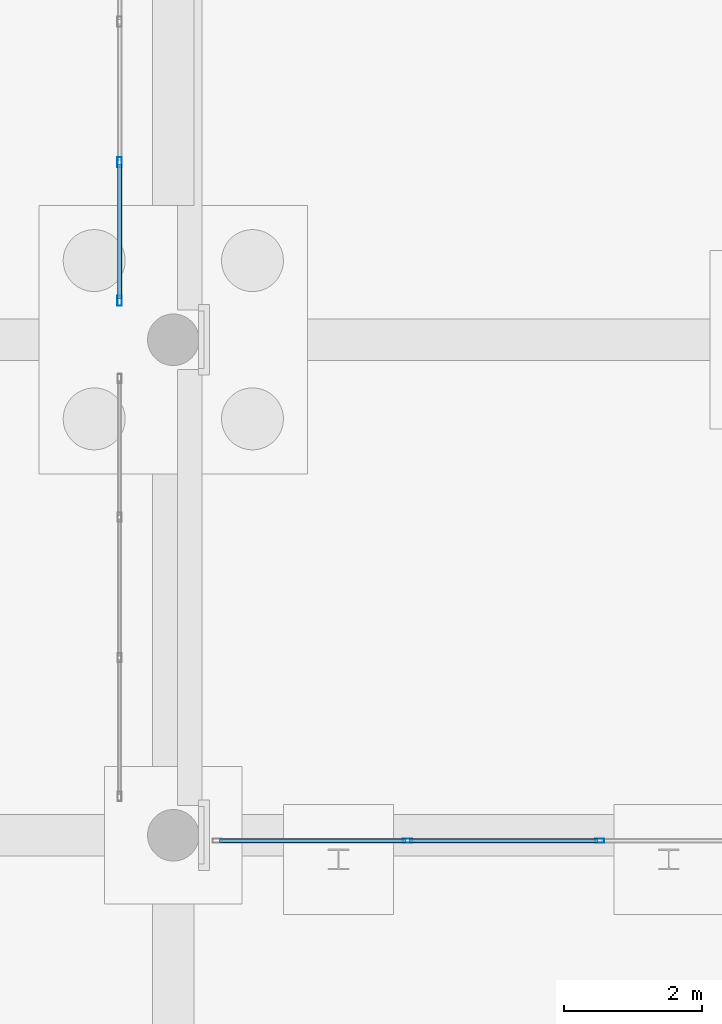
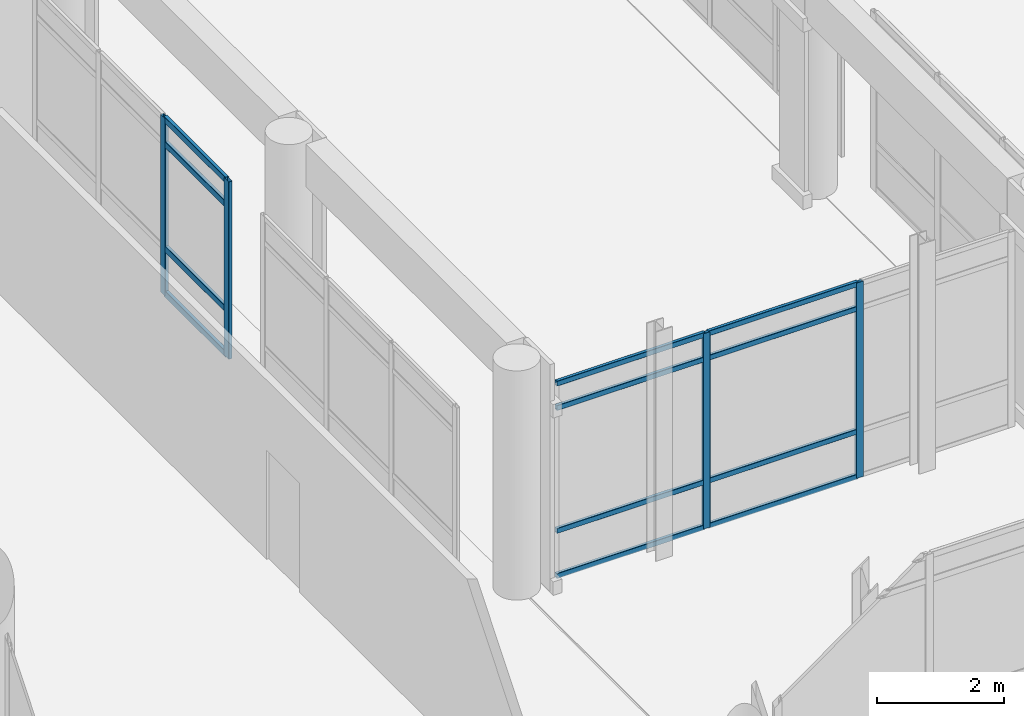
# One storey, part 109 of 196: 16 members, 2 elements without a shape of their own.
"""IFC4 building model written with IfcOpenShell, lengths in metres."""

from ifc_helpers import new_model, si_unit, direction, frame, origin, origin_2d, place, context, subcontext, project, spatial, hollow_rectangle, extrude, material, layer, layer_set, material_profile, profile_set, type_object, element, aggregate, save


model = new_model("IFC4")

# Units and contexts
model_context = context("Model", 3, precision=1e-05, world=origin(), true_north=direction((0.0, 1.0)))
body_context = subcontext(model_context, "Body", "Model", "MODEL_VIEW")
ifc_project = project(units=[si_unit("LENGTHUNIT", "METRE"), si_unit("AREAUNIT", "SQUARE_METRE"), si_unit("VOLUMEUNIT", "CUBIC_METRE"), si_unit("PLANEANGLEUNIT", "RADIAN"), si_unit("MASSUNIT", "GRAM", prefix="KILO")], contexts=[model_context])

# Site, building, storey
site_placement = place(None, origin())
site = spatial("IfcSite", under=ifc_project, at=site_placement, CompositionType="ELEMENT")
building_placement = place(site_placement, origin())
building = spatial("IfcBuilding", under=site, at=building_placement, Name="Asteropetra Specialist Clinic", CompositionType="ELEMENT")
storey_placement = place(building_placement, origin())
storey = spatial("IfcBuildingStorey", under=building, at=storey_placement, Name="L00", CompositionType="ELEMENT", Elevation=0.0)

# Curtain wall, members
ifc_material_1 = material(Name="Aluminium and low-E glass", Category="aluminium")
ifc_layer_1 = layer(ifc_material_1, 0.14990234375)
ifc_layer_set_1 = layer_set([ifc_layer_1], Name="Aluminium and low-E glass")
curtain_wall_type_1 = type_object("IfcCurtainWallType", Name="CW-SYS-02", PredefinedType="USERDEFINED", material=ifc_layer_set_1)
curtain_wall_1_placement = place(storey_placement, origin())
curtain_wall_1 = element("IfcCurtainWall", 1, at=curtain_wall_1_placement, inside=storey, type_object=curtain_wall_type_1, Name="Curtain Wall CW-110", ObjectType="UNITISED CURTAIN WALL", PredefinedType="USERDEFINED")
ifc_material_2 = material(Name="Aluminium 6063-T6", Category="aluminium")
ifc_material_profile_1 = material_profile(ifc_material_2, hollow_rectangle(XDim=0.06005859375, YDim=0.135009765625, WallThickness=0.00341796875, InnerFilletRadius=0.00341796875, OuterFilletRadius=0.007080078125, at=origin_2d()), Name="MUL 135x60x3.5")
ifc_profile_set_1 = profile_set([ifc_material_profile_1], Name="Aluminium 6063-T6")
member_type_1 = type_object("IfcMemberType", Name="CWM-135x60", PredefinedType="MULLION", material=ifc_profile_set_1)
member_1_placement = place(storey_placement, frame((82.99658203125, 83.919921875, 0.0), z_axis=(0.0, 0.0, 1.0), x_axis=(0.0, -1.0, 0.0)))
member_1 = element("IfcMember", 2, at=member_1_placement, type_object=member_type_1, Name="CW-110 mullion 2", PredefinedType="MULLION", context=body_context, shape_type="SweptSolid", body=[
    extrude(hollow_rectangle(XDim=0.06005859375, YDim=0.135009765625, WallThickness=0.00341796875, InnerFilletRadius=0.00341796875, OuterFilletRadius=0.007080078125, at=origin_2d()), origin(), (0.0, 0.0, 1.0), 3.77001953125),
])
member_2_placement = place(storey_placement, frame((80.203369140625, 83.919921875, 0.0), z_axis=(0.0, 0.0, 1.0), x_axis=(0.0, -1.0, 0.0)))
member_2 = element("IfcMember", 3, at=member_2_placement, type_object=member_type_1, Name="CW-110 mullion 3", PredefinedType="MULLION", context=body_context, shape_type="SweptSolid", body=[
    extrude(hollow_rectangle(XDim=0.06005859375, YDim=0.135009765625, WallThickness=0.00341796875, InnerFilletRadius=0.00341796875, OuterFilletRadius=0.007080078125, at=origin_2d()), origin(), (0.0, 0.0, 1.0), 3.77001953125),
])

ifc_material_3 = material(Name="Aluminium and low-E glass", Category="aluminium")
ifc_layer_2 = layer(ifc_material_3, 0.179931640625)
ifc_layer_set_2 = layer_set([ifc_layer_2], Name="Aluminium and low-E glass")
curtain_wall_type_2 = type_object("IfcCurtainWallType", Name="CW-SYS-01", PredefinedType="USERDEFINED", material=ifc_layer_set_2)
curtain_wall_2_placement = place(storey_placement, origin())
curtain_wall_2 = element("IfcCurtainWall", 4, at=curtain_wall_2_placement, inside=storey, type_object=curtain_wall_type_2, Name="Curtain Wall CW-190", ObjectType="UNITISED CURTAIN WALL", PredefinedType="USERDEFINED")
ifc_material_4 = material(Name="Aluminium 6063-T6", Category="aluminium")
ifc_material_profile_2 = material_profile(ifc_material_4, hollow_rectangle(XDim=0.06494140625, YDim=0.14990234375, WallThickness=0.00390625, InnerFilletRadius=0.00390625, OuterFilletRadius=0.008056640625, at=origin_2d()), Name="MUL 150x65x4.0")
ifc_profile_set_2 = profile_set([ifc_material_profile_2], Name="Aluminium 6063-T6")
member_type_2 = type_object("IfcMemberType", Name="CWM-150x65", PredefinedType="MULLION", material=ifc_profile_set_2)
member_3_placement = place(storey_placement, frame((76.02001953125, 91.767578125, 0.0), z_axis=(0.0, 0.0, 1.0), x_axis=(-1.0, 0.0, 0.0)))
member_3 = element("IfcMember", 5, at=member_3_placement, type_object=member_type_2, Name="CW-190 mullion 1", PredefinedType="MULLION", context=body_context, shape_type="SweptSolid", body=[
    extrude(hollow_rectangle(XDim=0.06494140625, YDim=0.14990234375, WallThickness=0.00390625, InnerFilletRadius=0.00390625, OuterFilletRadius=0.008056640625, at=origin_2d()), origin(), (0.0, 0.0, 1.0), 3.419921875),
])
member_4_placement = place(storey_placement, frame((76.02001953125, 93.7783203125, 0.0), z_axis=(0.0, 0.0, 1.0), x_axis=(-1.0, 0.0, 0.0)))
member_4 = element("IfcMember", 6, at=member_4_placement, type_object=member_type_2, Name="CW-190 mullion 2", PredefinedType="MULLION", context=body_context, shape_type="SweptSolid", body=[
    extrude(hollow_rectangle(XDim=0.06494140625, YDim=0.14990234375, WallThickness=0.00390625, InnerFilletRadius=0.00390625, OuterFilletRadius=0.008056640625, at=origin_2d()), origin(), (0.0, 0.0, 1.0), 3.419921875),
])

# Member
ifc_material_5 = material(Name="Aluminium 6063-T6", Category="aluminium")
ifc_material_profile_3 = material_profile(ifc_material_5, hollow_rectangle(XDim=0.06005859375, YDim=0.10009765625, WallThickness=0.00341796875, InnerFilletRadius=0.00341796875, OuterFilletRadius=0.007080078125, at=origin_2d()), Name="TRN 100x60x3.5")
ifc_profile_set_3 = profile_set([ifc_material_profile_3], Name="Aluminium 6063-T6")
member_type_3 = type_object("IfcMemberType", Name="CWT-100x60", PredefinedType="USERDEFINED", material=ifc_profile_set_3)
member_5_placement = place(storey_placement, frame((82.966552734375, 83.919921875, 0.030029296875), z_axis=(-1.0, 0.0, 0.0), x_axis=(0.0, -1.0, 0.0)))
member_5 = element("IfcMember", 7, at=member_5_placement, type_object=member_type_3, Name="CW-110 transom 2.1", ObjectType="TRANSOM", PredefinedType="USERDEFINED", context=body_context, shape_type="SweptSolid", body=[
    extrude(hollow_rectangle(XDim=0.06005859375, YDim=0.10009765625, WallThickness=0.00341796875, InnerFilletRadius=0.00341796875, OuterFilletRadius=0.007080078125, at=origin_2d()), origin(), (0.0, 0.0, 1.0), 2.733154296875),
])

member_6_placement = place(storey_placement, frame((82.966552734375, 83.919921875, 0.89990234375), z_axis=(-1.0, 0.0, 0.0), x_axis=(0.0, -1.0, 0.0)))
member_6 = element("IfcMember", 8, at=member_6_placement, type_object=member_type_3, Name="CW-110 transom 2.2", ObjectType="TRANSOM", PredefinedType="USERDEFINED", context=body_context, shape_type="SweptSolid", body=[
    extrude(hollow_rectangle(XDim=0.06005859375, YDim=0.10009765625, WallThickness=0.00341796875, InnerFilletRadius=0.00341796875, OuterFilletRadius=0.007080078125, at=origin_2d()), origin(), (0.0, 0.0, 1.0), 2.733154296875),
])

member_7_placement = place(storey_placement, frame((82.966552734375, 83.919921875, 3.27001953125), z_axis=(-1.0, 0.0, 0.0), x_axis=(0.0, -1.0, 0.0)))
member_7 = element("IfcMember", 9, at=member_7_placement, type_object=member_type_3, Name="CW-110 transom 2.3", ObjectType="TRANSOM", PredefinedType="USERDEFINED", context=body_context, shape_type="SweptSolid", body=[
    extrude(hollow_rectangle(XDim=0.06005859375, YDim=0.10009765625, WallThickness=0.00341796875, InnerFilletRadius=0.00341796875, OuterFilletRadius=0.007080078125, at=origin_2d()), origin(), (0.0, 0.0, 1.0), 2.733154296875),
])

member_8_placement = place(storey_placement, frame((82.966552734375, 83.919921875, 3.739990234375), z_axis=(-1.0, 0.0, 0.0), x_axis=(0.0, -1.0, 0.0)))
member_8 = element("IfcMember", 10, at=member_8_placement, type_object=member_type_3, Name="CW-110 transom 2.4", ObjectType="TRANSOM", PredefinedType="USERDEFINED", context=body_context, shape_type="SweptSolid", body=[
    extrude(hollow_rectangle(XDim=0.06005859375, YDim=0.10009765625, WallThickness=0.00341796875, InnerFilletRadius=0.00341796875, OuterFilletRadius=0.007080078125, at=origin_2d()), origin(), (0.0, 0.0, 1.0), 2.733154296875),
])

member_9_placement = place(storey_placement, frame((80.17333984375, 83.919921875, 0.030029296875), z_axis=(-1.0, 0.0, 0.0), x_axis=(0.0, -1.0, 0.0)))
member_9 = element("IfcMember", 11, at=member_9_placement, type_object=member_type_3, Name="CW-110 transom 3.1", ObjectType="TRANSOM", PredefinedType="USERDEFINED", context=body_context, shape_type="SweptSolid", body=[
    extrude(hollow_rectangle(XDim=0.06005859375, YDim=0.10009765625, WallThickness=0.00341796875, InnerFilletRadius=0.00341796875, OuterFilletRadius=0.007080078125, at=origin_2d()), origin(), (0.0, 0.0, 1.0), 2.703369140625),
])

member_10_placement = place(storey_placement, frame((80.17333984375, 83.919921875, 0.89990234375), z_axis=(-1.0, 0.0, 0.0), x_axis=(0.0, -1.0, 0.0)))
member_10 = element("IfcMember", 12, at=member_10_placement, type_object=member_type_3, Name="CW-110 transom 3.2", ObjectType="TRANSOM", PredefinedType="USERDEFINED", context=body_context, shape_type="SweptSolid", body=[
    extrude(hollow_rectangle(XDim=0.06005859375, YDim=0.10009765625, WallThickness=0.00341796875, InnerFilletRadius=0.00341796875, OuterFilletRadius=0.007080078125, at=origin_2d()), origin(), (0.0, 0.0, 1.0), 2.703369140625),
])

member_11_placement = place(storey_placement, frame((80.17333984375, 83.919921875, 3.27001953125), z_axis=(-1.0, 0.0, 0.0), x_axis=(0.0, -1.0, 0.0)))
member_11 = element("IfcMember", 13, at=member_11_placement, type_object=member_type_3, Name="CW-110 transom 3.3", ObjectType="TRANSOM", PredefinedType="USERDEFINED", context=body_context, shape_type="SweptSolid", body=[
    extrude(hollow_rectangle(XDim=0.06005859375, YDim=0.10009765625, WallThickness=0.00341796875, InnerFilletRadius=0.00341796875, OuterFilletRadius=0.007080078125, at=origin_2d()), origin(), (0.0, 0.0, 1.0), 2.703369140625),
])

member_12_placement = place(storey_placement, frame((80.17333984375, 83.919921875, 3.739990234375), z_axis=(-1.0, 0.0, 0.0), x_axis=(0.0, -1.0, 0.0)))
member_12 = element("IfcMember", 14, at=member_12_placement, type_object=member_type_3, Name="CW-110 transom 3.4", ObjectType="TRANSOM", PredefinedType="USERDEFINED", context=body_context, shape_type="SweptSolid", body=[
    extrude(hollow_rectangle(XDim=0.06005859375, YDim=0.10009765625, WallThickness=0.00341796875, InnerFilletRadius=0.00341796875, OuterFilletRadius=0.007080078125, at=origin_2d()), origin(), (0.0, 0.0, 1.0), 2.703369140625),
])

aggregate(curtain_wall_1, [member_1, member_2, member_5, member_6, member_7, member_8, member_9, member_10, member_11, member_12])

ifc_material_6 = material(Name="Aluminium 6063-T6", Category="aluminium")
ifc_material_profile_4 = material_profile(ifc_material_6, hollow_rectangle(XDim=0.06494140625, YDim=0.1201171875, WallThickness=0.00390625, InnerFilletRadius=0.00390625, OuterFilletRadius=0.008056640625, at=origin_2d()), Name="TRN 120x65x4.0")
ifc_profile_set_4 = profile_set([ifc_material_profile_4], Name="Aluminium 6063-T6")
member_type_4 = type_object("IfcMemberType", Name="CWT-120x65", PredefinedType="USERDEFINED", material=ifc_profile_set_4)
member_13_placement = place(storey_placement, frame((76.02001953125, 91.800048828125, 0.032470703125), z_axis=(0.0, 1.0, 0.0), x_axis=(-1.0, 0.0, 0.0)))
member_13 = element("IfcMember", 15, at=member_13_placement, type_object=member_type_4, Name="CW-190 transom 1.1", ObjectType="TRANSOM", PredefinedType="USERDEFINED", context=body_context, shape_type="SweptSolid", body=[
    extrude(hollow_rectangle(XDim=0.06494140625, YDim=0.1201171875, WallThickness=0.00390625, InnerFilletRadius=0.00390625, OuterFilletRadius=0.008056640625, at=origin_2d()), origin(), (0.0, 0.0, 1.0), 1.94580078125),
])

member_14_placement = place(storey_placement, frame((76.02001953125, 91.800048828125, 0.89990234375), z_axis=(0.0, 1.0, 0.0), x_axis=(-1.0, 0.0, 0.0)))
member_14 = element("IfcMember", 16, at=member_14_placement, type_object=member_type_4, Name="CW-190 transom 1.2", ObjectType="TRANSOM", PredefinedType="USERDEFINED", context=body_context, shape_type="SweptSolid", body=[
    extrude(hollow_rectangle(XDim=0.06494140625, YDim=0.1201171875, WallThickness=0.00390625, InnerFilletRadius=0.00390625, OuterFilletRadius=0.008056640625, at=origin_2d()), origin(), (0.0, 0.0, 1.0), 1.94580078125),
])

member_15_placement = place(storey_placement, frame((76.02001953125, 91.800048828125, 2.919921875), z_axis=(0.0, 1.0, 0.0), x_axis=(-1.0, 0.0, 0.0)))
member_15 = element("IfcMember", 17, at=member_15_placement, type_object=member_type_4, Name="CW-190 transom 1.3", ObjectType="TRANSOM", PredefinedType="USERDEFINED", context=body_context, shape_type="SweptSolid", body=[
    extrude(hollow_rectangle(XDim=0.06494140625, YDim=0.1201171875, WallThickness=0.00390625, InnerFilletRadius=0.00390625, OuterFilletRadius=0.008056640625, at=origin_2d()), origin(), (0.0, 0.0, 1.0), 1.94580078125),
])

member_16_placement = place(storey_placement, frame((76.02001953125, 91.800048828125, 3.387451171875), z_axis=(0.0, 1.0, 0.0), x_axis=(-1.0, 0.0, 0.0)))
member_16 = element("IfcMember", 18, at=member_16_placement, type_object=member_type_4, Name="CW-190 transom 1.4", ObjectType="TRANSOM", PredefinedType="USERDEFINED", context=body_context, shape_type="SweptSolid", body=[
    extrude(hollow_rectangle(XDim=0.06494140625, YDim=0.1201171875, WallThickness=0.00390625, InnerFilletRadius=0.00390625, OuterFilletRadius=0.008056640625, at=origin_2d()), origin(), (0.0, 0.0, 1.0), 1.94580078125),
])

aggregate(curtain_wall_2, [member_3, member_4, member_13, member_14, member_15, member_16])

save(model, "model.ifc")
